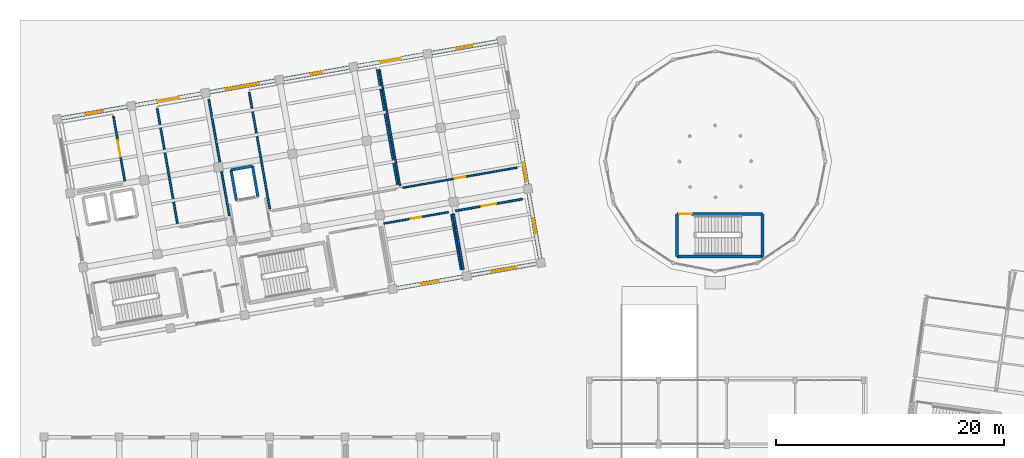
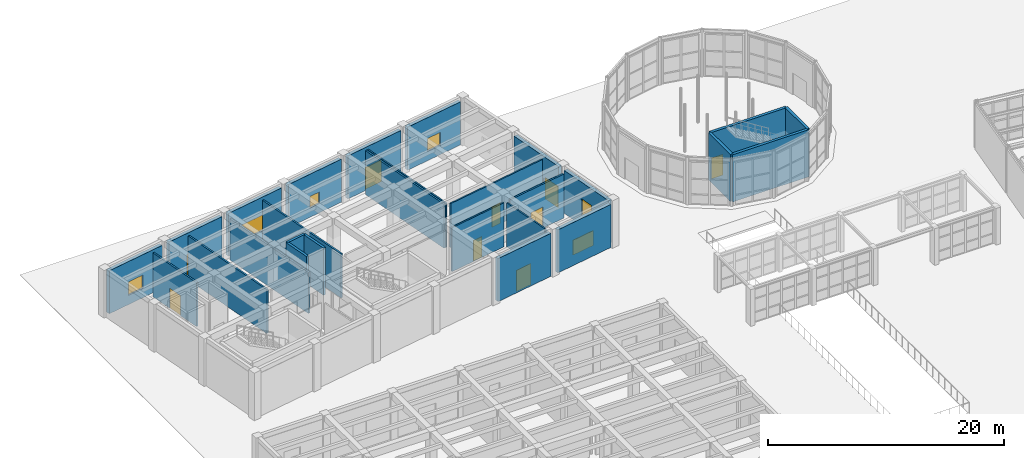
# One storey, part 44 of 57: 28 walls, 9 doors, 6 windows, 15 openings.
"""IFC4 building model written with IfcOpenShell, lengths in metres."""

from ifc_helpers import new_model, si_unit, direction, frame, frame_2d, origin, place, context, subcontext, project, spatial, rectangle, extrude, material, layer, layer_set, type_object, element, fill, save


model = new_model("IFC4")

# Units and contexts
model_context = context("Model", 3, precision=1e-05, world=origin(), true_north=direction((0.0, 1.0)))
body_context = subcontext(model_context, "Body", "Model", "MODEL_VIEW")
ifc_project = project(units=[si_unit("LENGTHUNIT", "METRE"), si_unit("AREAUNIT", "SQUARE_METRE"), si_unit("VOLUMEUNIT", "CUBIC_METRE"), si_unit("PLANEANGLEUNIT", "RADIAN"), si_unit("MASSUNIT", "GRAM", prefix="KILO")], contexts=[model_context])

# Site, building, storey
site_placement = place(None, origin())
site = spatial("IfcSite", under=ifc_project, at=site_placement, CompositionType="ELEMENT")
building_placement = place(site_placement, origin())
building = spatial("IfcBuilding", under=site, at=building_placement, Name="Kharisveld Research Institute", CompositionType="ELEMENT")
storey_placement = place(building_placement, origin())
storey = spatial("IfcBuildingStorey", under=building, at=storey_placement, Name="L00", CompositionType="ELEMENT", Elevation=0.0)

# Walls
ifc_material_1 = material(Name="Concrete C40/50", Category="concrete")
ifc_layer_1 = layer(ifc_material_1, 0.239990234375)
ifc_layer_set_1 = layer_set([ifc_layer_1], Name="WL_CORE_240")
wall_type_1 = type_object("IfcWallType", Name="WL_CORE_240", PredefinedType="SHEAR", material=ifc_layer_set_1)
wall_1_placement = place(storey_placement, frame((17.48828125, 47.3818359375, 0.0), z_axis=(0.0, 0.0, 1.0), x_axis=(-0.173615102578, 0.98481358447, 0.0)))
element("IfcWall", 1, at=wall_1_placement, inside=storey, type_object=wall_type_1, Name="WL:LFT:FFL-01:L00:W", PredefinedType="SHEAR", context=body_context, shape_type="SweptSolid", body=[
    extrude(rectangle(XDim=2.699951171875, YDim=0.239990234375, at=frame_2d((1.35009765625, 0.0))), origin(), (0.0, 0.0, 1.0), 4.8798828125),
])
wall_2_placement = place(storey_placement, frame((17.01953125, 50.040771484375, 0.0), z_axis=(0.0, 0.0, 1.0), x_axis=(0.984815882103, 0.173602068988, 0.0)))
element("IfcWall", 2, at=wall_2_placement, inside=storey, type_object=wall_type_1, Name="WL:LFT:FFL-01:L00:N", PredefinedType="SHEAR", context=body_context, shape_type="SweptSolid", body=[
    extrude(rectangle(XDim=1.89990234375, YDim=0.239990234375, at=frame_2d((0.949951171875, 0.0))), origin(), (0.0, 0.0, 1.0), 4.8798828125),
])
wall_3_placement = place(storey_placement, frame((18.890625, 50.37060546875, 0.0), z_axis=(0.0, 0.0, 1.0), x_axis=(0.173615102578, -0.98481358447, 0.0)))
element("IfcWall", 3, at=wall_3_placement, inside=storey, type_object=wall_type_1, Name="WL:LFT:FFL-01:L00:E", PredefinedType="SHEAR", context=body_context, shape_type="SweptSolid", body=[
    extrude(rectangle(XDim=2.699951171875, YDim=0.239990234375, at=frame_2d((1.35009765625, 0.0))), origin(), (0.0, 0.0, 1.0), 4.8798828125),
])
ifc_material_2 = material(Name="Concrete C40/50", Category="concrete")
ifc_layer_2 = layer(ifc_material_2, 0.27001953125)
ifc_layer_set_2 = layer_set([ifc_layer_2], Name="WL_CORE_270")
wall_type_2 = type_object("IfcWallType", Name="WL_CORE_270", PredefinedType="SHEAR", material=ifc_layer_set_2)
wall_4_placement = place(storey_placement, frame((56.14990234375, 42.449951171875, 0.0), z_axis=(0.0, 0.0, 1.0), x_axis=(0.0, 1.0, 0.0)))
element("IfcWall", 4, at=wall_4_placement, inside=storey, type_object=wall_type_2, Name="WL:STR:ST7:L00:W", PredefinedType="SHEAR", context=body_context, shape_type="SweptSolid", body=[
    extrude(rectangle(XDim=3.739990234375, YDim=0.27001953125, at=frame_2d((1.8701171875, 0.0))), origin(), (0.0, 0.0, 1.0), 4.8798828125),
])

# Wall, opening, door
wall_5_placement = place(storey_placement, frame((56.14990234375, 46.18994140625, 0.0), z_axis=(0.0, 0.0, 1.0), x_axis=(1.0, 0.0, 0.0)))
wall_5 = element("IfcWall", 5, at=wall_5_placement, inside=storey, type_object=wall_type_2, Name="WL:STR:ST7:L00:N", PredefinedType="SHEAR", context=body_context, shape_type="SweptSolid", body=[
    extrude(rectangle(XDim=7.47021484375, YDim=0.27001953125, at=frame_2d((3.735107421875, 0.0))), origin(), (0.0, 0.0, 1.0), 4.8798828125),
])
opening_1_placement = place(wall_5_placement, frame((0.179931640625, 0.0, 0.0)))
opening_1 = element("IfcOpeningElement", 6, at=opening_1_placement, cuts=wall_5, Name="Opening DS-050", PredefinedType="OPENING", context=body_context, shape_type="SweptSolid", body=[
    extrude(rectangle(XDim=1.080078125, YDim=2.14990234375, at=frame_2d((0.5400390625, 1.074951171875))), frame((0.0, 0.135009765625, 0.0), z_axis=(0.0, -1.0, 0.0), x_axis=(1.0, 0.0, 0.0)), (0.0, 0.0, 1.0), 0.27001953125),
])
ifc_material_3 = material(Name="Flush Painted Hardwood and Anodised Aluminium", Category="wood")
door_type_1 = type_object("IfcDoorType", Name="DR_FD60_108", OperationType="NOTDEFINED", PredefinedType="DOOR", material=ifc_material_3)
door_1_placement = place(opening_1_placement, origin())
door_1 = element("IfcDoor", 7, at=door_1_placement, inside=storey, type_object=door_type_1, Name="DR:STR:ST7:L00", OperationType="SINGLE_SWING_LEFT", OverallHeight=2.14990234375, OverallWidth=1.080078125, PredefinedType="DOOR", context=body_context, shape_type="SweptSolid", body=[
    extrude(rectangle(XDim=1.080078125, YDim=2.14990234375, at=frame_2d((0.5400390625, 1.074951171875))), frame((0.0, 0.02490234375, 0.0), z_axis=(0.0, -1.0, 0.0), x_axis=(1.0, 0.0, 0.0)), (0.0, 0.0, 1.0), 0.050048828125),
])
fill(opening_1, door_1)

# Walls
wall_6_placement = place(storey_placement, frame((63.6201171875, 46.18994140625, 0.0), z_axis=(0.0, 0.0, 1.0), x_axis=(0.0, -1.0, 0.0)))
element("IfcWall", 8, at=wall_6_placement, inside=storey, type_object=wall_type_2, Name="WL:STR:ST7:L00:E", PredefinedType="SHEAR", context=body_context, shape_type="SweptSolid", body=[
    extrude(rectangle(XDim=3.739990234375, YDim=0.27001953125, at=frame_2d((1.8701171875, 0.0))), origin(), (0.0, 0.0, 1.0), 4.8798828125),
])
wall_7_placement = place(storey_placement, frame((63.6201171875, 42.449951171875, 0.0), z_axis=(0.0, 0.0, 1.0), x_axis=(-1.0, 0.0, 0.0)))
element("IfcWall", 9, at=wall_7_placement, inside=storey, type_object=wall_type_2, Name="WL:STR:ST7:L00:S", PredefinedType="SHEAR", context=body_context, shape_type="SweptSolid", body=[
    extrude(rectangle(XDim=7.47021484375, YDim=0.27001953125, at=frame_2d((3.735107421875, 0.0))), origin(), (0.0, 0.0, 1.0), 4.8798828125),
])

# Wall, opening, window
ifc_material_4 = material(Name="Concrete C35/45", Category="concrete")
ifc_layer_3 = layer(ifc_material_4, 0.340087890625)
ifc_layer_set_3 = layer_set([ifc_layer_3], Name="WL_EXT_340")
wall_type_3 = type_object("IfcWallType", Name="WL_EXT_340", PredefinedType="SOLIDWALL", material=ifc_layer_set_3)
wall_8_placement = place(storey_placement, frame((2.126220703125, 54.573486328125, 0.0), z_axis=(0.0, 0.0, 1.0), x_axis=(0.984807875342, 0.1736474839, 0.0)))
wall_8 = element("IfcWall", 10, at=wall_8_placement, inside=storey, type_object=wall_type_3, Name="WL:V1:L00:N0", PredefinedType="SOLIDWALL", context=body_context, shape_type="SweptSolid", body=[
    extrude(rectangle(XDim=5.860107421875, YDim=0.340087890625, at=frame_2d((2.93017578125, 0.0))), origin(), (0.0, 0.0, 1.0), 4.455078125),
])
opening_2_placement = place(wall_8_placement, frame((2.1298828125, 0.0, 0.949951171875)))
opening_2 = element("IfcOpeningElement", 11, at=opening_2_placement, cuts=wall_8, Name="Opening WN-08", PredefinedType="OPENING", context=body_context, shape_type="SweptSolid", body=[
    extrude(rectangle(XDim=1.60009765625, YDim=1.39990234375, at=frame_2d((0.800048828125, 0.699951171875))), frame((0.0, 0.169921875, 0.0), z_axis=(0.0, -1.0, 0.0), x_axis=(1.0, 0.0, 0.0)), (0.0, 0.0, 1.0), 0.340087890625),
])
ifc_material_5 = material(Name="Low-E Double Glazing", Category="glass")
window_type_1 = type_object("IfcWindowType", Name="WN_08", PartitioningType="DOUBLE_PANEL_VERTICAL", PredefinedType="WINDOW", material=ifc_material_5)
window_1_placement = place(opening_2_placement, origin())
window_1 = element("IfcWindow", 12, at=window_1_placement, inside=storey, type_object=window_type_1, Name="WN:V1:L00:N0", OverallHeight=1.39990234375, OverallWidth=1.60009765625, PartitioningType="SINGLE_PANEL", PredefinedType="WINDOW", context=body_context, shape_type="SweptSolid", body=[
    extrude(rectangle(XDim=1.60009765625, YDim=1.39990234375, at=frame_2d((0.800048828125, 0.699951171875))), frame((0.0, 0.030029296875, 0.0), z_axis=(0.0, -1.0, 0.0), x_axis=(1.0, 0.0, 0.0)), (0.0, 0.0, 1.0), 0.06005859375),
])
fill(opening_2, window_1)

# Wall, opening, door
wall_9_placement = place(storey_placement, frame((8.6259765625, 55.719482421875, 0.0), z_axis=(0.0, 0.0, 1.0), x_axis=(0.98480661901, 0.173654608793, 0.0)))
wall_9 = element("IfcWall", 13, at=wall_9_placement, inside=storey, type_object=wall_type_3, Name="WL:V1:L00:N1", PredefinedType="SOLIDWALL", context=body_context, shape_type="SweptSolid", body=[
    extrude(rectangle(XDim=5.85986328125, YDim=0.340087890625, at=frame_2d((2.929931640625, 0.0))), origin(), (0.0, 0.0, 1.0), 4.455078125),
])
opening_3_placement = place(wall_9_placement, frame((1.97998046875, 0.0, 0.0)))
opening_3 = element("IfcOpeningElement", 14, at=opening_3_placement, cuts=wall_9, Name="Opening DE-002", PredefinedType="OPENING", context=body_context, shape_type="SweptSolid", body=[
    extrude(rectangle(XDim=1.89990234375, YDim=2.25, at=frame_2d((0.949951171875, 1.125))), frame((0.0, 0.169921875, 0.0), z_axis=(0.0, -1.0, 0.0), x_axis=(1.0, 0.0, 0.0)), (0.0, 0.0, 1.0), 0.340087890625),
])
ifc_material_6 = material(Name="Thermally Broken Powder-Coated Aluminium", Category="aluminium")
door_type_2 = type_object("IfcDoorType", Name="DR_EXT_190", OperationType="DOUBLE_DOOR_SINGLE_SWING", PredefinedType="DOOR", material=ifc_material_6)
door_2_placement = place(opening_3_placement, origin())
door_2 = element("IfcDoor", 15, at=door_2_placement, inside=storey, type_object=door_type_2, Name="DR:V1:L00:EXIT_N1", OperationType="DOUBLE_DOOR_SINGLE_SWING", OverallHeight=2.25, OverallWidth=1.89990234375, PredefinedType="DOOR", context=body_context, shape_type="SweptSolid", body=[
    extrude(rectangle(XDim=1.89990234375, YDim=2.25, at=frame_2d((0.949951171875, 1.125))), frame((0.0, 0.02490234375, 0.0), z_axis=(0.0, -1.0, 0.0), x_axis=(1.0, 0.0, 0.0)), (0.0, 0.0, 1.0), 0.050048828125),
])
fill(opening_3, door_2)

# Wall, opening, window
wall_10_placement = place(storey_placement, frame((15.12548828125, 56.865478515625, 0.0), z_axis=(0.0, 0.0, 1.0), x_axis=(0.984807875342, 0.1736474839, 0.0)))
wall_10 = element("IfcWall", 16, at=wall_10_placement, inside=storey, type_object=wall_type_3, Name="WL:V1:L00:N2", PredefinedType="SOLIDWALL", context=body_context, shape_type="SweptSolid", body=[
    extrude(rectangle(XDim=5.860107421875, YDim=0.340087890625, at=frame_2d((2.93017578125, 0.0))), origin(), (0.0, 0.0, 1.0), 4.455078125),
])
opening_4_placement = place(wall_10_placement, frame((1.429931640625, 0.0, 0.949951171875)))
opening_4 = element("IfcOpeningElement", 17, at=opening_4_placement, cuts=wall_10, Name="Opening WN-10", PredefinedType="OPENING", context=body_context, shape_type="SweptSolid", body=[
    extrude(rectangle(XDim=3.0, YDim=1.64990234375, at=frame_2d((1.5, 0.824951171875))), frame((0.0, 0.169921875, 0.0), z_axis=(0.0, -1.0, 0.0), x_axis=(1.0, 0.0, 0.0)), (0.0, 0.0, 1.0), 0.340087890625),
])
ifc_material_7 = material(Name="Low-E Double Glazing", Category="glass")
window_type_2 = type_object("IfcWindowType", Name="WN_10", PartitioningType="TRIPLE_PANEL_VERTICAL", PredefinedType="WINDOW", material=ifc_material_7)
window_2_placement = place(opening_4_placement, origin())
window_2 = element("IfcWindow", 18, at=window_2_placement, inside=storey, type_object=window_type_2, Name="WN:V1:L00:N2", OverallHeight=1.64990234375, OverallWidth=3.0, PartitioningType="SINGLE_PANEL", PredefinedType="WINDOW", context=body_context, shape_type="SweptSolid", body=[
    extrude(rectangle(XDim=3.0, YDim=1.64990234375, at=frame_2d((1.5, 0.824951171875))), frame((0.0, 0.030029296875, 0.0), z_axis=(0.0, -1.0, 0.0), x_axis=(1.0, 0.0, 0.0)), (0.0, 0.0, 1.0), 0.06005859375),
])
fill(opening_4, window_2)

wall_11_placement = place(storey_placement, frame((21.625244140625, 58.01171875, 0.0), z_axis=(0.0, 0.0, 1.0), x_axis=(0.984807875342, 0.1736474839, 0.0)))
wall_11 = element("IfcWall", 19, at=wall_11_placement, inside=storey, type_object=wall_type_3, Name="WL:V1:L00:N3", PredefinedType="SOLIDWALL", context=body_context, shape_type="SweptSolid", body=[
    extrude(rectangle(XDim=5.860107421875, YDim=0.340087890625, at=frame_2d((2.93017578125, 0.0))), origin(), (0.0, 0.0, 1.0), 4.455078125),
])
opening_5_placement = place(wall_11_placement, frame((2.405029296875, 0.0, 0.949951171875)))
opening_5 = element("IfcOpeningElement", 20, at=opening_5_placement, cuts=wall_11, Name="Opening WN-11", PredefinedType="OPENING", context=body_context, shape_type="SweptSolid", body=[
    extrude(rectangle(XDim=1.050048828125, YDim=1.199951171875, at=frame_2d((0.52490234375, 0.60009765625))), frame((0.0, 0.169921875, 0.0), z_axis=(0.0, -1.0, 0.0), x_axis=(1.0, 0.0, 0.0)), (0.0, 0.0, 1.0), 0.340087890625),
])
ifc_material_8 = material(Name="Low-E Double Glazing", Category="glass")
window_type_3 = type_object("IfcWindowType", Name="WN_11", PartitioningType="SINGLE_PANEL", PredefinedType="WINDOW", material=ifc_material_8)
window_3_placement = place(opening_5_placement, origin())
window_3 = element("IfcWindow", 21, at=window_3_placement, inside=storey, type_object=window_type_3, Name="WN:V1:L00:N3", OverallHeight=1.199951171875, OverallWidth=1.050048828125, PartitioningType="SINGLE_PANEL", PredefinedType="WINDOW", context=body_context, shape_type="SweptSolid", body=[
    extrude(rectangle(XDim=1.050048828125, YDim=1.199951171875, at=frame_2d((0.52490234375, 0.60009765625))), frame((0.0, 0.030029296875, 0.0), z_axis=(0.0, -1.0, 0.0), x_axis=(1.0, 0.0, 0.0)), (0.0, 0.0, 1.0), 0.06005859375),
])
fill(opening_5, window_3)

# Wall, opening, door
wall_12_placement = place(storey_placement, frame((28.125, 59.15771484375, 0.0), z_axis=(0.0, 0.0, 1.0), x_axis=(0.984807875342, 0.1736474839, 0.0)))
wall_12 = element("IfcWall", 22, at=wall_12_placement, inside=storey, type_object=wall_type_3, Name="WL:V1:L00:N4", PredefinedType="SOLIDWALL", context=body_context, shape_type="SweptSolid", body=[
    extrude(rectangle(XDim=5.860107421875, YDim=0.340087890625, at=frame_2d((2.93017578125, 0.0))), origin(), (0.0, 0.0, 1.0), 4.455078125),
])
opening_6_placement = place(wall_12_placement, frame((2.030029296875, 0.0, 0.0)))
opening_6 = element("IfcOpeningElement", 23, at=opening_6_placement, cuts=wall_12, Name="Opening DE-003", PredefinedType="OPENING", context=body_context, shape_type="SweptSolid", body=[
    extrude(rectangle(XDim=1.800048828125, YDim=2.25, at=frame_2d((0.89990234375, 1.125))), frame((0.0, 0.169921875, 0.0), z_axis=(0.0, -1.0, 0.0), x_axis=(1.0, 0.0, 0.0)), (0.0, 0.0, 1.0), 0.340087890625),
])
ifc_material_9 = material(Name="Thermally Broken Powder-Coated Aluminium", Category="aluminium")
door_type_3 = type_object("IfcDoorType", Name="DR_EXT_180", OperationType="DOUBLE_DOOR_SINGLE_SWING", PredefinedType="DOOR", material=ifc_material_9)
door_3_placement = place(opening_6_placement, origin())
door_3 = element("IfcDoor", 24, at=door_3_placement, inside=storey, type_object=door_type_3, Name="DR:V1:L00:EXIT_N4", OperationType="DOUBLE_DOOR_SINGLE_SWING", OverallHeight=2.25, OverallWidth=1.800048828125, PredefinedType="DOOR", context=body_context, shape_type="SweptSolid", body=[
    extrude(rectangle(XDim=1.800048828125, YDim=2.25, at=frame_2d((0.89990234375, 1.125))), frame((0.0, 0.02490234375, 0.0), z_axis=(0.0, -1.0, 0.0), x_axis=(1.0, 0.0, 0.0)), (0.0, 0.0, 1.0), 0.050048828125),
])
fill(opening_6, door_3)

# Wall, opening, window
wall_13_placement = place(storey_placement, frame((34.624755859375, 60.3037109375, 0.0), z_axis=(0.0, 0.0, 1.0), x_axis=(0.984807875342, 0.1736474839, 0.0)))
wall_13 = element("IfcWall", 25, at=wall_13_placement, inside=storey, type_object=wall_type_3, Name="WL:V1:L00:N5", PredefinedType="SOLIDWALL", context=body_context, shape_type="SweptSolid", body=[
    extrude(rectangle(XDim=5.860107421875, YDim=0.340087890625, at=frame_2d((2.93017578125, 0.0))), origin(), (0.0, 0.0, 1.0), 4.455078125),
])
opening_7_placement = place(wall_13_placement, frame((2.205078125, 0.0, 0.949951171875)))
opening_7 = element("IfcOpeningElement", 26, at=opening_7_placement, cuts=wall_13, Name="Opening WN-13", PredefinedType="OPENING", context=body_context, shape_type="SweptSolid", body=[
    extrude(rectangle(XDim=1.449951171875, YDim=1.35009765625, at=frame_2d((0.72509765625, 0.675048828125))), frame((0.0, 0.169921875, 0.0), z_axis=(0.0, -1.0, 0.0), x_axis=(1.0, 0.0, 0.0)), (0.0, 0.0, 1.0), 0.340087890625),
])
ifc_material_10 = material(Name="Low-E Double Glazing", Category="glass")
window_type_4 = type_object("IfcWindowType", Name="WN_13", PartitioningType="DOUBLE_PANEL_VERTICAL", PredefinedType="WINDOW", material=ifc_material_10)
window_4_placement = place(opening_7_placement, origin())
window_4 = element("IfcWindow", 27, at=window_4_placement, inside=storey, type_object=window_type_4, Name="WN:V1:L00:N5", OverallHeight=1.35009765625, OverallWidth=1.449951171875, PartitioningType="SINGLE_PANEL", PredefinedType="WINDOW", context=body_context, shape_type="SweptSolid", body=[
    extrude(rectangle(XDim=1.449951171875, YDim=1.35009765625, at=frame_2d((0.72509765625, 0.675048828125))), frame((0.0, 0.030029296875, 0.0), z_axis=(0.0, -1.0, 0.0), x_axis=(1.0, 0.0, 0.0)), (0.0, 0.0, 1.0), 0.06005859375),
])
fill(opening_7, window_4)

# Wall, opening, door
wall_14_placement = place(storey_placement, frame((41.970458984375, 54.521484375, 0.0), z_axis=(0.0, 0.0, 1.0), x_axis=(0.1736474839, -0.984807875342, 0.0)))
wall_14 = element("IfcWall", 28, at=wall_14_placement, inside=storey, type_object=wall_type_3, Name="WL:V1:L00:E2", PredefinedType="SOLIDWALL", context=body_context, shape_type="SweptSolid", body=[
    extrude(rectangle(XDim=5.860107421875, YDim=0.340087890625, at=frame_2d((2.93017578125, 0.0))), origin(), (0.0, 0.0, 1.0), 4.455078125),
])
opening_8_placement = place(wall_14_placement, frame((3.909912109375, 0.0, 0.0)))
opening_8 = element("IfcOpeningElement", 29, at=opening_8_placement, cuts=wall_14, Name="Opening DE-004", PredefinedType="OPENING", context=body_context, shape_type="SweptSolid", body=[
    extrude(rectangle(XDim=1.699951171875, YDim=2.199951171875, at=frame_2d((0.85009765625, 1.10009765625))), frame((0.0, 0.169921875, 0.0), z_axis=(0.0, -1.0, 0.0), x_axis=(1.0, 0.0, 0.0)), (0.0, 0.0, 1.0), 0.340087890625),
])
ifc_material_11 = material(Name="Thermally Broken Powder-Coated Aluminium", Category="aluminium")
door_type_4 = type_object("IfcDoorType", Name="DR_EXT_170", OperationType="DOUBLE_DOOR_SINGLE_SWING", PredefinedType="DOOR", material=ifc_material_11)
door_4_placement = place(opening_8_placement, origin())
door_4 = element("IfcDoor", 30, at=door_4_placement, inside=storey, type_object=door_type_4, Name="DR:V1:L00:EXIT_E2", OperationType="DOUBLE_DOOR_SINGLE_SWING", OverallHeight=2.199951171875, OverallWidth=1.699951171875, PredefinedType="DOOR", context=body_context, shape_type="SweptSolid", body=[
    extrude(rectangle(XDim=1.699951171875, YDim=2.199951171875, at=frame_2d((0.85009765625, 1.10009765625))), frame((0.0, 0.02490234375, 0.0), z_axis=(0.0, -1.0, 0.0), x_axis=(1.0, 0.0, 0.0)), (0.0, 0.0, 1.0), 0.050048828125),
])
fill(opening_8, door_4)

# Wall, opening, window
wall_15_placement = place(storey_placement, frame((43.116455078125, 48.021728515625, 0.0), z_axis=(0.0, 0.0, 1.0), x_axis=(0.1736474839, -0.984807875342, 0.0)))
wall_15 = element("IfcWall", 31, at=wall_15_placement, inside=storey, type_object=wall_type_3, Name="WL:V1:L00:E1", PredefinedType="SOLIDWALL", context=body_context, shape_type="SweptSolid", body=[
    extrude(rectangle(XDim=5.860107421875, YDim=0.340087890625, at=frame_2d((2.93017578125, 0.0))), origin(), (0.0, 0.0, 1.0), 4.455078125),
])
opening_9_placement = place(wall_15_placement, frame((2.2548828125, 0.0, 0.949951171875)))
opening_9 = element("IfcOpeningElement", 32, at=opening_9_placement, cuts=wall_15, Name="Opening WN-09", PredefinedType="OPENING", context=body_context, shape_type="SweptSolid", body=[
    extrude(rectangle(XDim=1.35009765625, YDim=1.800048828125, at=frame_2d((0.675048828125, 0.89990234375))), frame((0.0, 0.169921875, 0.0), z_axis=(0.0, -1.0, 0.0), x_axis=(1.0, 0.0, 0.0)), (0.0, 0.0, 1.0), 0.340087890625),
])
ifc_material_12 = material(Name="Low-E Double Glazing", Category="glass")
window_type_5 = type_object("IfcWindowType", Name="WN_09", PartitioningType="SINGLE_PANEL", PredefinedType="WINDOW", material=ifc_material_12)
window_5_placement = place(opening_9_placement, origin())
window_5 = element("IfcWindow", 33, at=window_5_placement, inside=storey, type_object=window_type_5, Name="WN:V1:L00:E1", OverallHeight=1.800048828125, OverallWidth=1.35009765625, PartitioningType="SINGLE_PANEL", PredefinedType="WINDOW", context=body_context, shape_type="SweptSolid", body=[
    extrude(rectangle(XDim=1.35009765625, YDim=1.800048828125, at=frame_2d((0.675048828125, 0.89990234375))), frame((0.0, 0.030029296875, 0.0), z_axis=(0.0, -1.0, 0.0), x_axis=(1.0, 0.0, 0.0)), (0.0, 0.0, 1.0), 0.06005859375),
])
fill(opening_9, window_5)

wall_16_placement = place(storey_placement, frame((43.833984375, 41.822265625, 0.0), z_axis=(0.0, 0.0, 1.0), x_axis=(-0.984807875342, -0.1736474839, 0.0)))
wall_16 = element("IfcWall", 34, at=wall_16_placement, inside=storey, type_object=wall_type_3, Name="WL:V1:L00:S6", PredefinedType="SOLIDWALL", context=body_context, shape_type="SweptSolid", body=[
    extrude(rectangle(XDim=5.860107421875, YDim=0.340087890625, at=frame_2d((2.93017578125, 0.0))), origin(), (0.0, 0.0, 1.0), 4.455078125),
])
opening_10_placement = place(wall_16_placement, frame((1.804931640625, 0.0, 0.949951171875)))
opening_10 = element("IfcOpeningElement", 35, at=opening_10_placement, cuts=wall_16, Name="Opening WN-14", PredefinedType="OPENING", context=body_context, shape_type="SweptSolid", body=[
    extrude(rectangle(XDim=2.25, YDim=1.550048828125, at=frame_2d((1.125, 0.77490234375))), frame((0.0, 0.169921875, 0.0), z_axis=(0.0, -1.0, 0.0), x_axis=(1.0, 0.0, 0.0)), (0.0, 0.0, 1.0), 0.340087890625),
])
ifc_material_13 = material(Name="Low-E Double Glazing", Category="glass")
window_type_6 = type_object("IfcWindowType", Name="WN_14", PartitioningType="DOUBLE_PANEL_VERTICAL", PredefinedType="WINDOW", material=ifc_material_13)
window_6_placement = place(opening_10_placement, origin())
window_6 = element("IfcWindow", 36, at=window_6_placement, inside=storey, type_object=window_type_6, Name="WN:V1:L00:S6", OverallHeight=1.550048828125, OverallWidth=2.25, PartitioningType="SINGLE_PANEL", PredefinedType="WINDOW", context=body_context, shape_type="SweptSolid", body=[
    extrude(rectangle(XDim=2.25, YDim=1.550048828125, at=frame_2d((1.125, 0.77490234375))), frame((0.0, 0.030029296875, 0.0), z_axis=(0.0, -1.0, 0.0), x_axis=(1.0, 0.0, 0.0)), (0.0, 0.0, 1.0), 0.06005859375),
])
fill(opening_10, window_6)

# Wall, opening, door
wall_17_placement = place(storey_placement, frame((37.334228515625, 40.676025390625, 0.0), z_axis=(0.0, 0.0, 1.0), x_axis=(-0.984807875342, -0.1736474839, 0.0)))
wall_17 = element("IfcWall", 37, at=wall_17_placement, inside=storey, type_object=wall_type_3, Name="WL:V1:L00:S5", PredefinedType="SOLIDWALL", context=body_context, shape_type="SweptSolid", body=[
    extrude(rectangle(XDim=5.860107421875, YDim=0.340087890625, at=frame_2d((2.93017578125, 0.0))), origin(), (0.0, 0.0, 1.0), 4.455078125),
])
opening_11_placement = place(wall_17_placement, frame((2.1298828125, 0.0, 0.0)))
opening_11 = element("IfcOpeningElement", 38, at=opening_11_placement, cuts=wall_17, Name="Opening DE-005", PredefinedType="OPENING", context=body_context, shape_type="SweptSolid", body=[
    extrude(rectangle(XDim=1.60009765625, YDim=2.199951171875, at=frame_2d((0.800048828125, 1.10009765625))), frame((0.0, 0.169921875, 0.0), z_axis=(0.0, -1.0, 0.0), x_axis=(1.0, 0.0, 0.0)), (0.0, 0.0, 1.0), 0.340087890625),
])
ifc_material_14 = material(Name="Thermally Broken Powder-Coated Aluminium", Category="aluminium")
door_type_5 = type_object("IfcDoorType", Name="DR_EXT_160", OperationType="DOUBLE_DOOR_SINGLE_SWING", PredefinedType="DOOR", material=ifc_material_14)
door_5_placement = place(opening_11_placement, origin())
door_5 = element("IfcDoor", 39, at=door_5_placement, inside=storey, type_object=door_type_5, Name="DR:V1:L00:EXIT_S5", OperationType="DOUBLE_DOOR_SINGLE_SWING", OverallHeight=2.199951171875, OverallWidth=1.60009765625, PredefinedType="DOOR", context=body_context, shape_type="SweptSolid", body=[
    extrude(rectangle(XDim=1.60009765625, YDim=2.199951171875, at=frame_2d((0.800048828125, 1.10009765625))), frame((0.0, 0.02490234375, 0.0), z_axis=(0.0, -1.0, 0.0), x_axis=(1.0, 0.0, 0.0)), (0.0, 0.0, 1.0), 0.050048828125),
])
fill(opening_11, door_5)

ifc_material_15 = material(Name="Acoustic Drywall Partition", Category="mineral")
ifc_layer_4 = layer(ifc_material_15, 0.1650390625)
ifc_layer_set_4 = layer_set([ifc_layer_4], Name="WL_LAB_165")
wall_type_4 = type_object("IfcWallType", Name="WL_LAB_165", PredefinedType="PARTITIONING", material=ifc_layer_set_4)
wall_18_placement = place(storey_placement, frame((42.58056640625, 47.49072265625, 0.0), z_axis=(0.0, 0.0, 1.0), x_axis=(-0.98480829201, -0.173645120828, 0.0)))
wall_18 = element("IfcWall", 40, at=wall_18_placement, inside=storey, type_object=wall_type_4, Name="WL:RM:V1:L00:SEM0:N", PredefinedType="PARTITIONING", context=body_context, shape_type="SweptSolid", body=[
    extrude(rectangle(XDim=5.9599609375, YDim=0.1650390625, at=frame_2d((2.97998046875, 0.0))), origin(), (0.0, 0.0, 1.0), 4.550048828125),
])
opening_12_placement = place(wall_18_placement, frame((2.330078125, 0.0, 0.0)))
opening_12 = element("IfcOpeningElement", 41, at=opening_12_placement, cuts=wall_18, Name="Opening DI-066", PredefinedType="OPENING", context=body_context, shape_type="SweptSolid", body=[
    extrude(rectangle(XDim=1.300048828125, YDim=2.179931640625, at=frame_2d((0.64990234375, 1.08984375))), frame((0.0, 0.08251953125, 0.0), z_axis=(0.0, -1.0, 0.0), x_axis=(1.0, 0.0, 0.0)), (0.0, 0.0, 1.0), 0.1650390625),
])
ifc_material_16 = material(Name="Flush Painted Hardwood and Anodised Aluminium", Category="wood")
door_type_6 = type_object("IfcDoorType", Name="DR_SEM_130", OperationType="DOUBLE_DOOR_SINGLE_SWING", PredefinedType="DOOR", material=ifc_material_16)
door_6_placement = place(opening_12_placement, origin())
door_6 = element("IfcDoor", 42, at=door_6_placement, inside=storey, type_object=door_type_6, Name="DR:RM:V1:L00:SEM0:N", OperationType="DOUBLE_DOOR_SINGLE_SWING", OverallHeight=2.179931640625, OverallWidth=1.300048828125, PredefinedType="DOOR", context=body_context, shape_type="SweptSolid", body=[
    extrude(rectangle(XDim=1.300048828125, YDim=2.179931640625, at=frame_2d((0.64990234375, 1.08984375))), frame((0.0, 0.02490234375, 0.0), z_axis=(0.0, -1.0, 0.0), x_axis=(1.0, 0.0, 0.0)), (0.0, 0.0, 1.0), 0.050048828125),
])
fill(opening_12, door_6)

# Wall
wall_19_placement = place(storey_placement, frame((36.53271484375, 46.200927734375, 0.0), z_axis=(0.0, 0.0, 1.0), x_axis=(0.173650553511, -0.984807334084, 0.0)))
element("IfcWall", 43, at=wall_19_placement, inside=storey, type_object=wall_type_4, Name="WL:RM:V1:L00:SEM0:W", PredefinedType="PARTITIONING", context=body_context, shape_type="SweptSolid", body=[
    extrude(rectangle(XDim=4.960205078125, YDim=0.1650390625, at=frame_2d((2.47998046875, 0.0))), origin(), (0.0, 0.0, 1.0), 4.2548828125),
])

# Wall, opening, door
wall_20_placement = place(storey_placement, frame((7.6953125, 49.076904296875, 0.0), z_axis=(0.0, 0.0, 1.0), x_axis=(-0.173649928941, 0.984807444214, 0.0)))
wall_20 = element("IfcWall", 44, at=wall_20_placement, inside=storey, type_object=wall_type_4, Name="WL:RM:V1:L00:DL0W:E", PredefinedType="PARTITIONING", context=body_context, shape_type="SweptSolid", body=[
    extrude(rectangle(XDim=5.760009765625, YDim=0.1650390625, at=frame_2d((2.8798828125, 0.0))), origin(), (0.0, 0.0, 1.0), 4.550048828125),
])
opening_13_placement = place(wall_20_placement, frame((2.155029296875, 0.0, 0.0)))
opening_13 = element("IfcOpeningElement", 45, at=opening_13_placement, cuts=wall_20, Name="Opening DI-067", PredefinedType="OPENING", context=body_context, shape_type="SweptSolid", body=[
    extrude(rectangle(XDim=1.449951171875, YDim=2.080078125, at=frame_2d((0.72509765625, 1.0400390625))), frame((0.0, 0.08251953125, 0.0), z_axis=(0.0, -1.0, 0.0), x_axis=(1.0, 0.0, 0.0)), (0.0, 0.0, 1.0), 0.1650390625),
])
ifc_material_17 = material(Name="Flush Painted Hardwood and Anodised Aluminium", Category="wood")
door_type_7 = type_object("IfcDoorType", Name="DR_VAR_19", OperationType="NOTDEFINED", PredefinedType="DOOR", material=ifc_material_17)
door_7_placement = place(opening_13_placement, origin())
door_7 = element("IfcDoor", 46, at=door_7_placement, inside=storey, type_object=door_type_7, Name="DR:RM:V1:L00:DL0W:E", OperationType="SINGLE_SWING_RIGHT", OverallHeight=2.080078125, OverallWidth=1.449951171875, PredefinedType="DOOR", context=body_context, shape_type="SweptSolid", body=[
    extrude(rectangle(XDim=1.449951171875, YDim=2.080078125, at=frame_2d((0.72509765625, 1.0400390625))), frame((0.0, 0.02490234375, 0.0), z_axis=(0.0, -1.0, 0.0), x_axis=(1.0, 0.0, 0.0)), (0.0, 0.0, 1.0), 0.050048828125),
])
fill(opening_13, door_7)

# Walls
wall_21_placement = place(storey_placement, frame((16.86474609375, 46.02294921875, 0.0), z_axis=(0.0, 0.0, 1.0), x_axis=(-0.173632075677, 0.984810592092, 0.0)))
element("IfcWall", 47, at=wall_21_placement, inside=storey, type_object=wall_type_4, Name="WL:RM:V1:L00:DL0A:E", PredefinedType="PARTITIONING", context=body_context, shape_type="SweptSolid", body=[
    extrude(rectangle(XDim=10.360107421875, YDim=0.1650390625, at=frame_2d((5.18017578125, 0.0))), origin(), (0.0, 0.0, 1.0), 4.2548828125),
])
for number, where, z_axis, x_axis, name in (
    (48, (10.53564453125, 55.4267578125, 0.0), (0.0, 0.0, 1.0), (0.173654930775, -0.984806562233, 0.0), "WL:RM:V1:L00:DL0A:W"),
    (49, (31.636962890625, 48.627685546875, 0.0), (0.0, 0.0, 1.0), (-0.173654930775, 0.984806562233, 0.0), "WL:RM:V1:L00:DL0B:E"),
    (50, (18.611083984375, 56.8505859375, 0.0), (0.0, 0.0, 1.0), (0.173654930775, -0.984806562233, 0.0), "WL:RM:V1:L00:DL0B:W"),
):
    element("IfcWall", number, at=place(storey_placement, frame(where, z_axis=z_axis, x_axis=x_axis)), inside=storey, type_object=wall_type_4, Name=name, PredefinedType="PARTITIONING", context=body_context, shape_type="SweptSolid", body=[
        extrude(rectangle(XDim=10.360107421875, YDim=0.1650390625, at=frame_2d((5.18017578125, 0.0))), origin(), (0.0, 0.0, 1.0), 4.550048828125),
    ])
ifc_material_18 = material(Name="Insulated Stud Partition", Category="mineral")
ifc_layer_5 = layer(ifc_material_18, 0.139892578125)
ifc_layer_set_5 = layer_set([ifc_layer_5], Name="WL_OFF_140")
wall_type_5 = type_object("IfcWallType", Name="WL_OFF_140", PredefinedType="PARTITIONING", material=ifc_layer_set_5)
wall_22_placement = place(storey_placement, frame((37.197021484375, 41.281494140625, 0.0), z_axis=(0.0, 0.0, 1.0), x_axis=(-0.173650553511, 0.984807334084, 0.0)))
element("IfcWall", 51, at=wall_22_placement, inside=storey, type_object=wall_type_5, Name="WL:RM:V1:L00:REC:E", PredefinedType="PARTITIONING", context=body_context, shape_type="SweptSolid", body=[
    extrude(rectangle(XDim=4.960205078125, YDim=0.139892578125, at=frame_2d((2.47998046875, 0.0))), origin(), (0.0, 0.0, 1.0), 4.550048828125),
])

# Wall, opening, door
wall_23_placement = place(storey_placement, frame((36.080810546875, 46.3447265625, 0.0), z_axis=(0.0, 0.0, 1.0), x_axis=(-0.984806166054, -0.173657177512, 0.0)))
wall_23 = element("IfcWall", 52, at=wall_23_placement, inside=storey, type_object=wall_type_5, Name="WL:RM:V1:L00:REC:N", PredefinedType="PARTITIONING", context=body_context, shape_type="SweptSolid", body=[
    extrude(rectangle(XDim=5.759765625, YDim=0.139892578125, at=frame_2d((2.8798828125, 0.0))), origin(), (0.0, 0.0, 1.0), 4.550048828125),
])
opening_14_placement = place(wall_23_placement, frame((2.409912109375, 0.0, 0.0)))
opening_14 = element("IfcOpeningElement", 53, at=opening_14_placement, cuts=wall_23, Name="Opening DI-065", PredefinedType="OPENING", context=body_context, shape_type="SweptSolid", body=[
    extrude(rectangle(XDim=0.93994140625, YDim=2.1201171875, at=frame_2d((0.469970703125, 1.06005859375))), frame((0.0, 0.06982421875, 0.0), z_axis=(0.0, -1.0, 0.0), x_axis=(1.0, 0.0, 0.0)), (0.0, 0.0, 1.0), 0.139892578125),
])
ifc_material_19 = material(Name="Flush Painted Hardwood and Anodised Aluminium", Category="wood")
door_type_8 = type_object("IfcDoorType", Name="DR_OFF_094", OperationType="NOTDEFINED", PredefinedType="DOOR", material=ifc_material_19)
door_8_placement = place(opening_14_placement, origin())
door_8 = element("IfcDoor", 54, at=door_8_placement, inside=storey, type_object=door_type_8, Name="DR:RM:V1:L00:REC:N", OperationType="SINGLE_SWING_LEFT", OverallHeight=2.1201171875, OverallWidth=0.93994140625, PredefinedType="DOOR", context=body_context, shape_type="SweptSolid", body=[
    extrude(rectangle(XDim=0.93994140625, YDim=2.1201171875, at=frame_2d((0.469970703125, 1.06005859375))), frame((0.0, 0.02490234375, 0.0), z_axis=(0.0, -1.0, 0.0), x_axis=(1.0, 0.0, 0.0)), (0.0, 0.0, 1.0), 0.050048828125),
])
fill(opening_14, door_8)

wall_24_placement = place(storey_placement, frame((32.0888671875, 48.48388671875, 0.0), z_axis=(0.0, 0.0, 1.0), x_axis=(0.984809432242, 0.173638654012, 0.0)))
wall_24 = element("IfcWall", 55, at=wall_24_placement, inside=storey, type_object=wall_type_5, Name="WL:RM:V1:L00:WU0A:S", PredefinedType="PARTITIONING", context=body_context, shape_type="SweptSolid", body=[
    extrude(rectangle(XDim=10.159912109375, YDim=0.139892578125, at=frame_2d((5.080078125, 0.0))), origin(), (0.0, 0.0, 1.0), 4.550048828125),
])
opening_15_placement = place(wall_24_placement, frame((4.610107421875, 0.0, 0.0)))
opening_15 = element("IfcOpeningElement", 56, at=opening_15_placement, cuts=wall_24, Name="Opening DI-070", PredefinedType="OPENING", context=body_context, shape_type="SweptSolid", body=[
    extrude(rectangle(XDim=0.93994140625, YDim=2.1201171875, at=frame_2d((0.469970703125, 1.06005859375))), frame((0.0, 0.06982421875, 0.0), z_axis=(0.0, -1.0, 0.0), x_axis=(1.0, 0.0, 0.0)), (0.0, 0.0, 1.0), 0.139892578125),
])
door_9_placement = place(opening_15_placement, origin())
door_9 = element("IfcDoor", 57, at=door_9_placement, inside=storey, type_object=door_type_8, Name="DR:RM:V1:L00:WU0A:S", OperationType="SINGLE_SWING_LEFT", OverallHeight=2.1201171875, OverallWidth=0.93994140625, PredefinedType="DOOR", context=body_context, shape_type="SweptSolid", body=[
    extrude(rectangle(XDim=0.93994140625, YDim=2.1201171875, at=frame_2d((0.469970703125, 1.06005859375))), frame((0.0, 0.02490234375, 0.0), z_axis=(0.0, -1.0, 0.0), x_axis=(1.0, 0.0, 0.0)), (0.0, 0.0, 1.0), 0.050048828125),
])
fill(opening_15, door_9)

# Wall
wall_25_placement = place(storey_placement, frame((30.034912109375, 58.864990234375, 0.0), z_axis=(0.0, 0.0, 1.0), x_axis=(0.173654930775, -0.984806562233, 0.0)))
element("IfcWall", 58, at=wall_25_placement, inside=storey, type_object=wall_type_5, Name="WL:RM:V1:L00:WU0A:W", PredefinedType="PARTITIONING", context=body_context, shape_type="SweptSolid", body=[
    extrude(rectangle(XDim=10.360107421875, YDim=0.139892578125, at=frame_2d((5.18017578125, 0.0))), origin(), (0.0, 0.0, 1.0), 4.550048828125),
])

save(model, "model.ifc")
